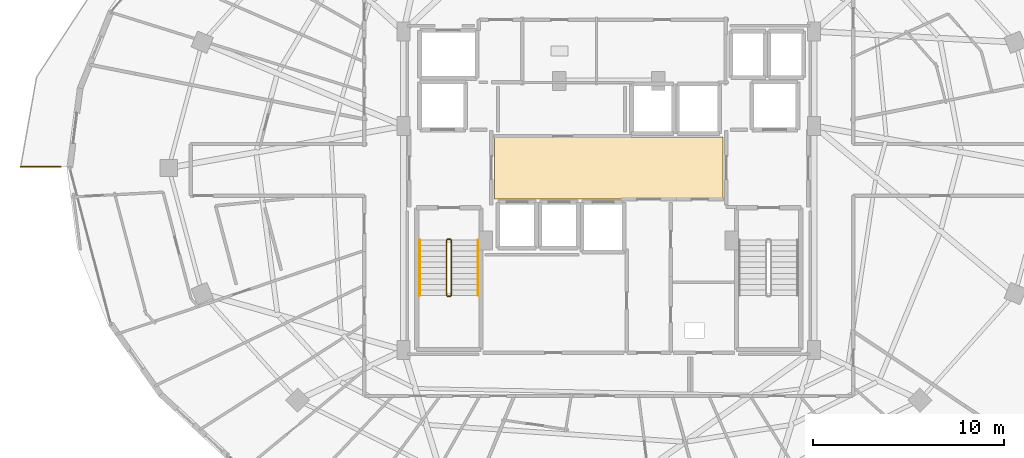
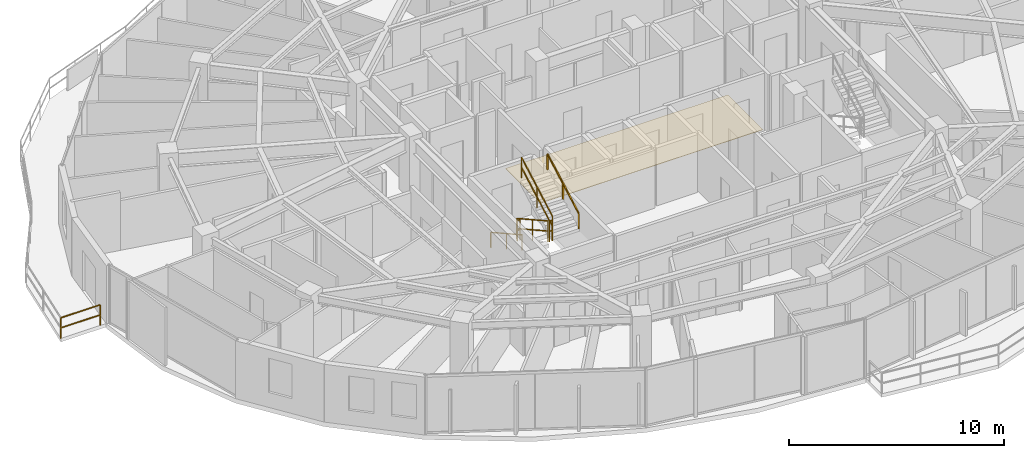
# One storey, part 31 of 34: 7 railings, 1 covering.
"""IFC4 building model written with IfcOpenShell, lengths in metres."""

from ifc_helpers import new_model, si_unit, direction, frame, origin, origin_2d, place, context, subcontext, project, spatial, polyline, rectangle, outline, extrude, material, layer, layer_set, type_object, element, save


model = new_model("IFC4")

# Units and contexts
model_context = context("Model", 3, precision=1e-05, world=origin(), true_north=direction((0.0, 1.0)))
body_context = subcontext(model_context, "Body", "Model", "MODEL_VIEW")
ifc_project = project(units=[si_unit("LENGTHUNIT", "METRE"), si_unit("AREAUNIT", "SQUARE_METRE"), si_unit("VOLUMEUNIT", "CUBIC_METRE"), si_unit("PLANEANGLEUNIT", "RADIAN"), si_unit("MASSUNIT", "GRAM", prefix="KILO")], contexts=[model_context])

# Site, building, storey
site_placement = place(None, origin())
site = spatial("IfcSite", under=ifc_project, at=site_placement, CompositionType="ELEMENT")
building_placement = place(site_placement, origin())
building = spatial("IfcBuilding", under=site, at=building_placement, Name="Vorneva Point Tower", CompositionType="ELEMENT")
storey_placement = place(building_placement, frame((0.0, 0.0, 210.75)))
storey = spatial("IfcBuildingStorey", under=building, at=storey_placement, Name="L57", CompositionType="ELEMENT", Elevation=210.75)

# Covering
ifc_material_1 = material(Name="Acoustic wool hospitality carpet", Category="textile")
ifc_layer = layer(ifc_material_1, 0.01806640625)
ifc_layer_set = layer_set([ifc_layer], Name="Acoustic wool hospitality carpet")
covering_type = type_object("IfcCoveringType", Name="COV-FLR-CRP", PredefinedType="FLOORING", material=ifc_layer_set)
covering_placement = place(storey_placement, frame((0.0, 0.0, -0.0048828125)))
element("IfcCovering", 1, at=covering_placement, inside=storey, type_object=covering_type, Name="L57 Lift Lobby Floor Finish", PredefinedType="FLOORING", context=body_context, shape_type="SweptSolid", body=[
    extrude(outline(polyline([(32.02001953125, 24.3701171875), (43.97998046875, 24.3701171875), (43.97998046875, 27.6298828125), (32.02001953125, 27.6298828125), (32.02001953125, 24.3701171875)])), origin(), (0.0, 0.0, 1.0), 0.02294921875),
])

# Railings
ifc_material_2 = material(Name="Pale anodised aluminium", Category="aluminium")
railing_type_1 = type_object("IfcRailingType", Name="RL-BAL-1200", PredefinedType="BALUSTRADE", material=ifc_material_2)
railing_1_placement = place(storey_placement, frame((7.183837890625, 26.050048828125, 0.0)))
element("IfcRailing", 2, at=railing_1_placement, inside=storey, type_object=railing_type_1, Name="L57 Wave Balcony Balustrade NW.1", PredefinedType="BALUSTRADE", context=body_context, shape_type="SweptSolid", body=[
    extrude(rectangle(XDim=0.048095703125, YDim=0.048095703125, at=origin_2d()), frame((0.0, 0.0, 1.17578125), z_axis=(1.0, 0.0, 0.0), x_axis=(0.0, 1.0, 0.0)), (0.0, 0.0, 1.0), 2.119873046875),
    extrude(rectangle(XDim=0.048095703125, YDim=0.048095703125, at=origin_2d()), frame((0.0, 0.0, 0.60009765625), z_axis=(1.0, 0.0, 0.0), x_axis=(0.0, 1.0, 0.0)), (0.0, 0.0, 1.0), 2.119873046875),
    extrude(rectangle(XDim=0.0419921875, YDim=0.0419921875, at=origin_2d()), origin(), (0.0, 0.0, 1.0), 1.15185546875),
    extrude(rectangle(XDim=0.0419921875, YDim=0.0419921875, at=origin_2d()), frame((2.119873046875, 0.0, 0.0)), (0.0, 0.0, 1.0), 1.15185546875),
])
ifc_material_3 = material(Name="Brushed stainless steel S304", Category="steel")
railing_type_2 = type_object("IfcRailingType", Name="RL-HND-920", PredefinedType="HANDRAIL", material=ifc_material_3)
railing_2_placement = place(storey_placement, frame((28.10009765625, 22.219970703125, 0.161376953125)))
element("IfcRailing", 3, at=railing_2_placement, inside=storey, type_object=railing_type_2, Name="L57 ST1 stair handrail 1", PredefinedType="HANDRAIL", context=body_context, shape_type="SweptSolid", body=[
    extrude(rectangle(XDim=0.048095703125, YDim=0.048095703125, at=origin_2d()), frame((0.0, 0.0, 0.8759765625), z_axis=(0.0, -0.873841303929, 0.486211245805), x_axis=(1.0, 0.0, 0.0)), (0.0, 0.0, 1.0), 3.318603515625),
    extrude(rectangle(XDim=0.0419921875, YDim=0.0419921875, at=origin_2d()), origin(), (0.0, 0.0, 1.0), 0.851806640625),
    extrude(rectangle(XDim=0.0419921875, YDim=0.0419921875, at=origin_2d()), frame((0.0, -1.449951171875, 0.806640625)), (0.0, 0.0, 1.0), 0.851806640625),
    extrude(rectangle(XDim=0.0419921875, YDim=0.0419921875, at=origin_2d()), frame((0.0, -2.89990234375, 1.613525390625)), (0.0, 0.0, 1.0), 0.851806640625),
])
railing_3_placement = place(storey_placement, frame((31.14990234375, 19.320068359375, 1.936279296875)))
element("IfcRailing", 4, at=railing_3_placement, inside=storey, type_object=railing_type_2, Name="L57 ST1 stair handrail 2", PredefinedType="HANDRAIL", context=body_context, shape_type="SweptSolid", body=[
    extrude(rectangle(XDim=0.048095703125, YDim=0.048095703125, at=origin_2d()), frame((0.0, 0.0, 0.8759765625), z_axis=(0.0, 0.873810046276, 0.486267419253), x_axis=(-1.0, 0.0, 0.0)), (0.0, 0.0, 1.0), 3.318603515625),
    extrude(rectangle(XDim=0.0419921875, YDim=0.0419921875, at=origin_2d()), origin(), (0.0, 0.0, 1.0), 0.851806640625),
    extrude(rectangle(XDim=0.0419921875, YDim=0.0419921875, at=origin_2d()), frame((0.0, 1.449951171875, 0.806884765625)), (0.0, 0.0, 1.0), 0.851806640625),
    extrude(rectangle(XDim=0.0419921875, YDim=0.0419921875, at=origin_2d()), frame((0.0, 2.89990234375, 1.61376953125)), (0.0, 0.0, 1.0), 0.851806640625),
])
railing_type_3 = type_object("IfcRailingType", Name="RL-STG-1100", PredefinedType="GUARDRAIL", material=ifc_material_3)
railing_4_placement = place(storey_placement, frame((29.5, 22.219970703125, 0.161376953125)))
element("IfcRailing", 5, at=railing_4_placement, inside=storey, type_object=railing_type_3, Name="L57 ST1 stair guard 1", PredefinedType="GUARDRAIL", context=body_context, shape_type="SweptSolid", body=[
    extrude(rectangle(XDim=0.048095703125, YDim=0.048095703125, at=origin_2d()), frame((0.0, 0.0, 1.17578125), z_axis=(0.0, -0.873841303929, 0.486211245805), x_axis=(1.0, 0.0, 0.0)), (0.0, 0.0, 1.0), 3.318603515625),
    extrude(rectangle(XDim=0.048095703125, YDim=0.048095703125, at=origin_2d()), frame((0.0, 0.0, 0.60009765625), z_axis=(0.0, -0.873841303929, 0.486211245805), x_axis=(1.0, 0.0, 0.0)), (0.0, 0.0, 1.0), 3.318603515625),
    extrude(rectangle(XDim=0.0419921875, YDim=0.0419921875, at=origin_2d()), origin(), (0.0, 0.0, 1.0), 1.15185546875),
    extrude(rectangle(XDim=0.0419921875, YDim=0.0419921875, at=origin_2d()), frame((0.0, -1.449951171875, 0.806640625)), (0.0, 0.0, 1.0), 1.15185546875),
    extrude(rectangle(XDim=0.0419921875, YDim=0.0419921875, at=origin_2d()), frame((0.0, -2.89990234375, 1.613525390625)), (0.0, 0.0, 1.0), 1.15185546875),
])
railing_5_placement = place(storey_placement, frame((29.550048828125, 19.27001953125, 1.77490234375)))
element("IfcRailing", 6, at=railing_5_placement, inside=storey, type_object=railing_type_3, Name="L57 ST1 stair guard 2", PredefinedType="GUARDRAIL", context=body_context, shape_type="SweptSolid", body=[
    extrude(rectangle(XDim=0.048095703125, YDim=0.048095703125, at=origin_2d()), frame((0.0, 0.0, 1.17578125), z_axis=(1.0, 0.0, 0.0), x_axis=(0.0, 1.0, 0.0)), (0.0, 0.0, 1.0), 0.14990234375),
    extrude(rectangle(XDim=0.048095703125, YDim=0.048095703125, at=origin_2d()), frame((0.0, 0.0, 0.60009765625), z_axis=(1.0, 0.0, 0.0), x_axis=(0.0, 1.0, 0.0)), (0.0, 0.0, 1.0), 0.14990234375),
    extrude(rectangle(XDim=0.0419921875, YDim=0.0419921875, at=origin_2d()), origin(), (0.0, 0.0, 1.0), 1.15185546875),
    extrude(rectangle(XDim=0.0419921875, YDim=0.0419921875, at=origin_2d()), frame((0.14990234375, 0.0, 0.0)), (0.0, 0.0, 1.0), 1.15185546875),
])
railing_6_placement = place(storey_placement, frame((29.75, 19.320068359375, 1.936279296875)))
element("IfcRailing", 7, at=railing_6_placement, inside=storey, type_object=railing_type_3, Name="L57 ST1 stair guard 3", PredefinedType="GUARDRAIL", context=body_context, shape_type="SweptSolid", body=[
    extrude(rectangle(XDim=0.048095703125, YDim=0.048095703125, at=origin_2d()), frame((0.0, 0.0, 1.17578125), z_axis=(0.0, 0.873810046276, 0.486267419253), x_axis=(-1.0, 0.0, 0.0)), (0.0, 0.0, 1.0), 3.318603515625),
    extrude(rectangle(XDim=0.048095703125, YDim=0.048095703125, at=origin_2d()), frame((0.0, 0.0, 0.60009765625), z_axis=(0.0, 0.873810046276, 0.486267419253), x_axis=(-1.0, 0.0, 0.0)), (0.0, 0.0, 1.0), 3.318603515625),
    extrude(rectangle(XDim=0.0419921875, YDim=0.0419921875, at=origin_2d()), origin(), (0.0, 0.0, 1.0), 1.15185546875),
    extrude(rectangle(XDim=0.0419921875, YDim=0.0419921875, at=origin_2d()), frame((0.0, 1.449951171875, 0.806884765625)), (0.0, 0.0, 1.0), 1.15185546875),
    extrude(rectangle(XDim=0.0419921875, YDim=0.0419921875, at=origin_2d()), frame((0.0, 2.89990234375, 1.61376953125)), (0.0, 0.0, 1.0), 1.15185546875),
])
railing_7_placement = place(storey_placement, frame((29.550048828125, 22.27001953125, 0.0)))
element("IfcRailing", 8, at=railing_7_placement, inside=storey, type_object=railing_type_3, Name="L57 ST1 stair guard 4", PredefinedType="GUARDRAIL", context=body_context, shape_type="SweptSolid", body=[
    extrude(rectangle(XDim=0.048095703125, YDim=0.048095703125, at=origin_2d()), frame((0.0, 0.0, 1.17578125), z_axis=(1.0, 0.0, 0.0), x_axis=(0.0, 1.0, 0.0)), (0.0, 0.0, 1.0), 0.14990234375),
    extrude(rectangle(XDim=0.048095703125, YDim=0.048095703125, at=origin_2d()), frame((0.0, 0.0, 0.60009765625), z_axis=(1.0, 0.0, 0.0), x_axis=(0.0, 1.0, 0.0)), (0.0, 0.0, 1.0), 0.14990234375),
    extrude(rectangle(XDim=0.0419921875, YDim=0.0419921875, at=origin_2d()), origin(), (0.0, 0.0, 1.0), 1.15185546875),
    extrude(rectangle(XDim=0.0419921875, YDim=0.0419921875, at=origin_2d()), frame((0.14990234375, 0.0, 0.0)), (0.0, 0.0, 1.0), 1.15185546875),
])

save(model, "model.ifc")
